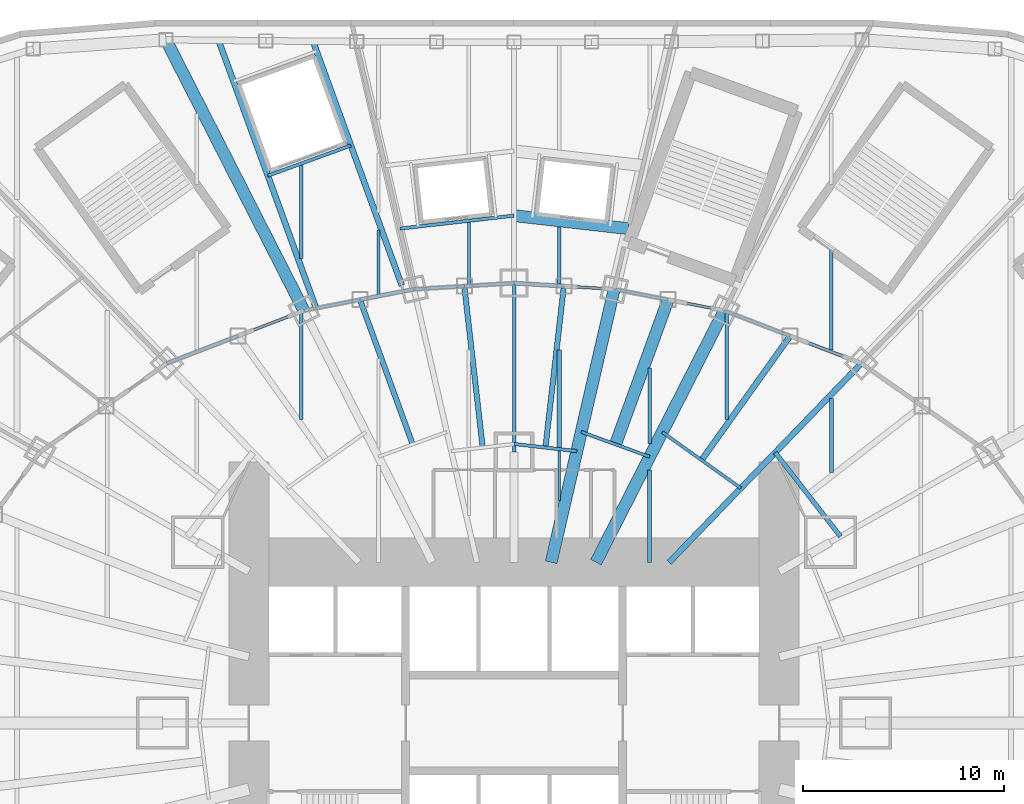
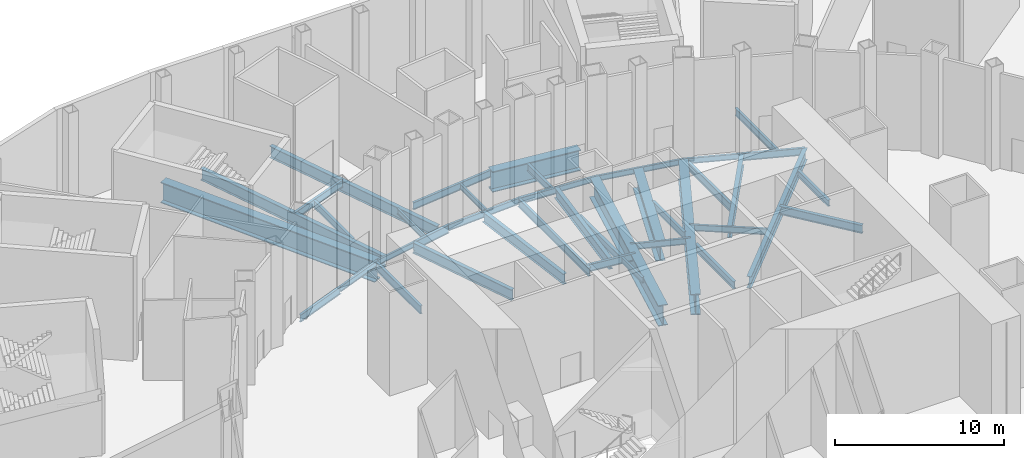
# One storey, part 7 of 73: 43 beams.
"""IFC4 building model written with IfcOpenShell, lengths in metres."""

from ifc_helpers import new_model, si_unit, direction, frame, origin, origin_2d, place, context, subcontext, project, spatial, i_section, extrude, material, material_profile, profile_set, type_object, element, save


model = new_model("IFC4")

# Units and contexts
model_context = context("Model", 3, precision=1e-05, world=origin(), true_north=direction((0.0, 1.0)))
body_context = subcontext(model_context, "Body", "Model", "MODEL_VIEW")
ifc_project = project(units=[si_unit("LENGTHUNIT", "METRE"), si_unit("AREAUNIT", "SQUARE_METRE"), si_unit("VOLUMEUNIT", "CUBIC_METRE"), si_unit("PLANEANGLEUNIT", "RADIAN"), si_unit("MASSUNIT", "GRAM", prefix="KILO")], contexts=[model_context])

# Site, building, storey
site_placement = place(None, origin())
site = spatial("IfcSite", under=ifc_project, at=site_placement, CompositionType="ELEMENT")
building_placement = place(site_placement, origin())
building = spatial("IfcBuilding", under=site, at=building_placement, Name="Lantaw Convention Tower", CompositionType="ELEMENT")
storey_placement = place(building_placement, frame((0.0, 0.0, 14.5)))
storey = spatial("IfcBuildingStorey", under=building, at=storey_placement, Name="L02", CompositionType="ELEMENT", Elevation=14.5)

# Beams
ifc_material_1 = material(Name="Steel ASTM A992", Category="steel")
ifc_material_profile_1 = material_profile(ifc_material_1, i_section(OverallWidth=0.140380859375, OverallDepth=0.40380859375, WebThickness=0.007080078125, FlangeThickness=0.01123046875, FilletRadius=0.01025390625, at=origin_2d()), Name="W16X31")
ifc_profile_set_1 = profile_set([ifc_material_profile_1], Name="Steel ASTM A992")
beam_type_1 = type_object("IfcBeamType", Name="Beam E W16X31", PredefinedType="SPANDREL", material=ifc_profile_set_1)
beam_1_placement = place(storey_placement, frame((13.745361328125, 19.270263671875, -0.40185546875), z_axis=(-0.933241815012, 0.359248820058, 0.0), x_axis=(-0.359248820058, -0.933241815012, 0.0)))
element("IfcBeam", 1, at=beam_1_placement, inside=storey, type_object=beam_type_1, Name="Edge beam 4", PredefinedType="SPANDREL", context=body_context, shape_type="SweptSolid", body=[
    extrude(i_section(OverallWidth=0.140380859375, OverallDepth=0.40380859375, WebThickness=0.007080078125, FlangeThickness=0.01123046875, FilletRadius=0.01025390625, at=origin_2d()), origin(), (0.0, 0.0, 1.0), 3.517578125),
])
beam_2_placement = place(storey_placement, frame((10.462646484375, 20.533935546875, -0.40185546875), z_axis=(-0.98163593748, 0.190763954266, 0.0), x_axis=(-0.190763954266, -0.98163593748, 0.0)))
element("IfcBeam", 2, at=beam_2_placement, inside=storey, type_object=beam_type_1, Name="Edge beam 5", PredefinedType="SPANDREL", context=body_context, shape_type="SweptSolid", body=[
    extrude(i_section(OverallWidth=0.140380859375, OverallDepth=0.40380859375, WebThickness=0.007080078125, FlangeThickness=0.01123046875, FilletRadius=0.01025390625, at=origin_2d()), origin(), (0.0, 0.0, 1.0), 2.84375),
])
beam_3_placement = place(storey_placement, frame((7.671142578125, 21.076416015625, -0.40185546875), z_axis=(-0.981637218105, 0.190757364289, 0.0), x_axis=(-0.190757364289, -0.981637218105, 0.0)))
element("IfcBeam", 3, at=beam_3_placement, inside=storey, type_object=beam_type_1, Name="Edge beam 5", PredefinedType="SPANDREL", context=body_context, shape_type="SweptSolid", body=[
    extrude(i_section(OverallWidth=0.140380859375, OverallDepth=0.40380859375, WebThickness=0.007080078125, FlangeThickness=0.01123046875, FilletRadius=0.01025390625, at=origin_2d()), origin(), (0.0, 0.0, 1.0), 2.735107421875),
])
beam_4_placement = place(storey_placement, frame((4.986328125, 21.59814453125, -0.40185546875), z_axis=(-0.998172405641, 0.060430527186, 0.0), x_axis=(-0.060430527186, -0.998172405641, 0.0)))
element("IfcBeam", 4, at=beam_4_placement, inside=storey, type_object=beam_type_1, Name="Edge beam 6", PredefinedType="SPANDREL", context=body_context, shape_type="SweptSolid", body=[
    extrude(i_section(OverallWidth=0.140380859375, OverallDepth=0.40380859375, WebThickness=0.007080078125, FlangeThickness=0.01123046875, FilletRadius=0.01025390625, at=origin_2d()), origin(), (0.0, 0.0, 1.0), 2.512939453125),
])
beam_5_placement = place(storey_placement, frame((-7.671142578125, 21.076416015625, -0.40185546875), z_axis=(-0.98163593748, -0.190763954266, 0.0), x_axis=(0.190763954266, -0.98163593748, 0.0)))
element("IfcBeam", 5, at=beam_5_placement, inside=storey, type_object=beam_type_1, Name="Edge beam 8", PredefinedType="SPANDREL", context=body_context, shape_type="SweptSolid", body=[
    extrude(i_section(OverallWidth=0.140380859375, OverallDepth=0.40380859375, WebThickness=0.007080078125, FlangeThickness=0.01123046875, FilletRadius=0.01025390625, at=origin_2d()), origin(), (0.0, 0.0, 1.0), 2.84375),
])
beam_6_placement = place(storey_placement, frame((-10.462646484375, 20.533935546875, -0.40185546875), z_axis=(-0.933241815012, -0.359248820058, 0.0), x_axis=(0.359248820058, -0.933241815012, 0.0)))
element("IfcBeam", 6, at=beam_6_placement, inside=storey, type_object=beam_type_1, Name="Edge beam 9", PredefinedType="SPANDREL", context=body_context, shape_type="SweptSolid", body=[
    extrude(i_section(OverallWidth=0.140380859375, OverallDepth=0.40380859375, WebThickness=0.007080078125, FlangeThickness=0.01123046875, FilletRadius=0.01025390625, at=origin_2d()), origin(), (0.0, 0.0, 1.0), 3.517578125),
])
ifc_material_profile_2 = material_profile(ifc_material_1, i_section(OverallWidth=0.15234375, OverallDepth=0.449462890625, WebThickness=0.007568359375, FlangeThickness=0.0107421875, FilletRadius=0.01025390625, at=origin_2d()), Name="W18X35")
ifc_profile_set_2 = profile_set([ifc_material_profile_2], Name="Steel ASTM A992")
beam_type_2 = type_object("IfcBeamType", Name="Beam E W18X35", PredefinedType="SPANDREL", material=ifc_profile_set_2)
beam_7_placement = place(storey_placement, frame((0.0, 21.89990234375, -0.4248046875), z_axis=(-0.998175328335, -0.060382231685, 0.0), x_axis=(0.060382231685, -0.998175328335, 0.0)))
element("IfcBeam", 7, at=beam_7_placement, inside=storey, type_object=beam_type_2, Name="Edge beam 7", PredefinedType="SPANDREL", context=body_context, shape_type="SweptSolid", body=[
    extrude(i_section(OverallWidth=0.15234375, OverallDepth=0.449462890625, WebThickness=0.007568359375, FlangeThickness=0.0107421875, FilletRadius=0.01025390625, at=origin_2d()), origin(), (0.0, 0.0, 1.0), 2.482666015625),
])
beam_8_placement = place(storey_placement, frame((-2.47802734375, 21.75, -0.4248046875), z_axis=(-0.998172405641, -0.060430527186, 0.0), x_axis=(0.060430527186, -0.998172405641, 0.0)))
element("IfcBeam", 8, at=beam_8_placement, inside=storey, type_object=beam_type_2, Name="Edge beam 7", PredefinedType="SPANDREL", context=body_context, shape_type="SweptSolid", body=[
    extrude(i_section(OverallWidth=0.15234375, OverallDepth=0.449462890625, WebThickness=0.007568359375, FlangeThickness=0.0107421875, FilletRadius=0.01025390625, at=origin_2d()), origin(), (0.0, 0.0, 1.0), 2.512939453125),
])
ifc_material_profile_3 = material_profile(ifc_material_1, i_section(OverallWidth=0.1904296875, OverallDepth=0.457275390625, WebThickness=0.009033203125, FlangeThickness=0.014404296875, FilletRadius=0.01025390625, at=origin_2d()), Name="W18X50")
ifc_profile_set_3 = profile_set([ifc_material_profile_3], Name="Steel ASTM A992")
beam_type_3 = type_object("IfcBeamType", Name="Beam E W18X50", PredefinedType="SPANDREL", material=ifc_profile_set_3)
beam_9_placement = place(storey_placement, frame((2.47802734375, 21.75, -0.4287109375), z_axis=(-0.998175328335, 0.060382231685, 0.0), x_axis=(-0.060382231685, -0.998175328335, 0.0)))
element("IfcBeam", 9, at=beam_9_placement, inside=storey, type_object=beam_type_3, Name="Edge beam 6", PredefinedType="SPANDREL", context=body_context, shape_type="SweptSolid", body=[
    extrude(i_section(OverallWidth=0.1904296875, OverallDepth=0.457275390625, WebThickness=0.009033203125, FlangeThickness=0.014404296875, FilletRadius=0.01025390625, at=origin_2d()), origin(), (0.0, 0.0, 1.0), 2.482666015625),
])
ifc_material_profile_4 = material_profile(ifc_material_1, i_section(OverallWidth=0.1650390625, OverallDepth=0.52587890625, WebThickness=0.0087890625, FlangeThickness=0.011474609375, FilletRadius=0.0126953125, at=origin_2d()), Name="W21X44")
ifc_profile_set_4 = profile_set([ifc_material_profile_4], Name="Steel ASTM A992")
beam_type_4 = type_object("IfcBeamType", Name="Beam E W21X44", PredefinedType="SPANDREL", material=ifc_profile_set_4)
for number, where, z_axis, x_axis, name in (
    (10, (17.290771484375, 17.9052734375, -0.462890625), (-0.933224646415, 0.359293416754, 0.0), (-0.359293416754, -0.933224646415, 0.0), "Edge beam 4"),
    (11, (-13.745361328125, 19.270263671875, -0.462890625), (-0.933224646415, -0.359293416754, 0.0), (0.359293416754, -0.933224646415, 0.0), "Edge beam 9"),
):
    element("IfcBeam", number, at=place(storey_placement, frame(where, z_axis=z_axis, x_axis=x_axis)), inside=storey, type_object=beam_type_4, Name=name, PredefinedType="SPANDREL", context=body_context, shape_type="SweptSolid", body=[
        extrude(i_section(OverallWidth=0.1650390625, OverallDepth=0.52587890625, WebThickness=0.0087890625, FlangeThickness=0.011474609375, FilletRadius=0.0126953125, at=origin_2d()), origin(), (0.0, 0.0, 1.0), 3.799072265625),
    ])
ifc_material_profile_5 = material_profile(ifc_material_1, i_section(OverallWidth=0.177978515625, OverallDepth=0.599365234375, WebThickness=0.010009765625, FlangeThickness=0.012939453125, FilletRadius=0.012939453125, at=origin_2d()), Name="W24X55")
ifc_profile_set_5 = profile_set([ifc_material_profile_5], Name="Steel ASTM A992")
beam_type_5 = type_object("IfcBeamType", Name="Beam E W24X55", PredefinedType="SPANDREL", material=ifc_profile_set_5)
beam_10_placement = place(storey_placement, frame((-4.986328125, 21.59814453125, -0.499755859375), z_axis=(-0.981637218105, -0.190757364289, 0.0), x_axis=(0.190757364289, -0.981637218105, 0.0)))
element("IfcBeam", 12, at=beam_10_placement, inside=storey, type_object=beam_type_5, Name="Edge beam 8", PredefinedType="SPANDREL", context=body_context, shape_type="SweptSolid", body=[
    extrude(i_section(OverallWidth=0.177978515625, OverallDepth=0.599365234375, WebThickness=0.010009765625, FlangeThickness=0.012939453125, FilletRadius=0.012939453125, at=origin_2d()), origin(), (0.0, 0.0, 1.0), 2.735107421875),
])
ifc_material_2 = material(Name="Steel ASTM A572 Grade 50", Category="steel")
ifc_material_profile_6 = material_profile(ifc_material_2, i_section(OverallWidth=0.60009765625, OverallDepth=1.5, WebThickness=0.02490234375, FlangeThickness=0.06005859375, at=origin_2d()), Name="PG1500X600X25X60")
ifc_profile_set_6 = profile_set([ifc_material_profile_6], Name="Steel ASTM A572 Grade 50")
beam_type_6 = type_object("IfcBeamType", Name="Beam G PG1500X600X25X60", PredefinedType="BEAM", material=ifc_profile_set_6)
beam_11_placement = place(storey_placement, frame((4.076171875, 8.0, -0.949951171875), z_axis=(0.453997016122, 0.891003203896, 0.0), x_axis=(-0.891003203896, 0.453997016122, 0.0)))
element("IfcBeam", 13, at=beam_11_placement, inside=storey, type_object=beam_type_6, Name="Floor girder on ray 5", PredefinedType="BEAM", context=body_context, shape_type="SweptSolid", body=[
    extrude(i_section(OverallWidth=0.60009765625, OverallDepth=1.5, WebThickness=0.02490234375, FlangeThickness=0.06005859375, at=origin_2d()), origin(), (0.0, 0.0, 1.0), 14.067138671875),
])
beam_12_placement = place(storey_placement, frame((5.04931640625, 13.873046875, -0.949951171875), z_axis=(0.342021781151, 0.939692024664, 0.0), x_axis=(-0.939692024664, 0.342021781151, 0.0)))
element("IfcBeam", 14, at=beam_12_placement, inside=storey, type_object=beam_type_6, Name="Floor girder on bisector 5", PredefinedType="BEAM", context=body_context, shape_type="SweptSolid", body=[
    extrude(i_section(OverallWidth=0.60009765625, OverallDepth=1.5, WebThickness=0.02490234375, FlangeThickness=0.06005859375, at=origin_2d()), origin(), (0.0, 0.0, 1.0), 7.665771484375),
])
beam_13_placement = place(storey_placement, frame((1.846923828125, 8.0, -0.949951171875), z_axis=(0.224952773175, 0.97436966796, 0.0), x_axis=(-0.97436966796, 0.224952773175, 0.0)))
element("IfcBeam", 15, at=beam_13_placement, inside=storey, type_object=beam_type_6, Name="Floor girder on ray 6", PredefinedType="BEAM", context=body_context, shape_type="SweptSolid", body=[
    extrude(i_section(OverallWidth=0.60009765625, OverallDepth=1.5, WebThickness=0.02490234375, FlangeThickness=0.06005859375, at=origin_2d()), origin(), (0.0, 0.0, 1.0), 13.955810546875),
])
ifc_material_profile_7 = material_profile(ifc_material_1, i_section(OverallWidth=0.177978515625, OverallDepth=0.599365234375, WebThickness=0.010009765625, FlangeThickness=0.012939453125, FilletRadius=0.012939453125, at=origin_2d()), Name="W24X55")
ifc_profile_set_7 = profile_set([ifc_material_profile_7], Name="Steel ASTM A992")
beam_type_7 = type_object("IfcBeamType", Name="Beam G W24X55", PredefinedType="BEAM", material=ifc_profile_set_7)
beam_14_placement = place(storey_placement, frame((0.0, 13.5, -0.499755859375), z_axis=(0.0, 1.0, 0.0), x_axis=(-1.0, 0.0, 0.0)))
element("IfcBeam", 16, at=beam_14_placement, inside=storey, type_object=beam_type_7, Name="Floor girder on ray 7", PredefinedType="BEAM", context=body_context, shape_type="SweptSolid", body=[
    extrude(i_section(OverallWidth=0.177978515625, OverallDepth=0.599365234375, WebThickness=0.010009765625, FlangeThickness=0.012939453125, FilletRadius=0.012939453125, at=origin_2d()), origin(), (0.0, 0.0, 1.0), 8.39990234375),
])
ifc_material_profile_8 = material_profile(ifc_material_1, i_section(OverallWidth=0.2666015625, OverallDepth=0.7568359375, WebThickness=0.013916015625, FlangeThickness=0.019287109375, FilletRadius=0.0126953125, at=origin_2d()), Name="W30X108")
ifc_profile_set_8 = profile_set([ifc_material_profile_8], Name="Steel ASTM A992")
beam_type_8 = type_object("IfcBeamType", Name="Beam G W30X108", PredefinedType="BEAM", material=ifc_profile_set_8)
beam_15_placement = place(storey_placement, frame((-1.5625, 13.713134765625, -0.578369140625), z_axis=(-0.113183957156, 0.993574049501, 0.0), x_axis=(-0.993574049501, -0.113183957156, 0.0)))
element("IfcBeam", 17, at=beam_15_placement, inside=storey, type_object=beam_type_8, Name="Floor girder on bisector 7", PredefinedType="BEAM", context=body_context, shape_type="SweptSolid", body=[
    extrude(i_section(OverallWidth=0.2666015625, OverallDepth=0.7568359375, WebThickness=0.013916015625, FlangeThickness=0.019287109375, FilletRadius=0.0126953125, at=origin_2d()), origin(), (0.0, 0.0, 1.0), 8.0888671875),
])
ifc_material_profile_9 = material_profile(ifc_material_1, i_section(OverallWidth=0.2666015625, OverallDepth=0.76953125, WebThickness=0.015625, FlangeThickness=0.025390625, FilletRadius=0.0126953125, at=origin_2d()), Name="W30X132")
ifc_profile_set_9 = profile_set([ifc_material_profile_9], Name="Steel ASTM A992")
beam_type_9 = type_object("IfcBeamType", Name="Beam G W30X132", PredefinedType="BEAM", material=ifc_profile_set_9)
beam_16_placement = place(storey_placement, frame((1.5625, 13.713134765625, -0.584716796875), z_axis=(0.113183957156, 0.993574049501, 0.0), x_axis=(-0.993574049501, 0.113183957156, 0.0)))
element("IfcBeam", 18, at=beam_16_placement, inside=storey, type_object=beam_type_9, Name="Floor girder on bisector 6", PredefinedType="BEAM", context=body_context, shape_type="SweptSolid", body=[
    extrude(i_section(OverallWidth=0.2666015625, OverallDepth=0.76953125, WebThickness=0.015625, FlangeThickness=0.025390625, FilletRadius=0.0126953125, at=origin_2d()), origin(), (0.0, 0.0, 1.0), 8.0888671875),
])
beam_17_placement = place(storey_placement, frame((-5.04931640625, 13.873046875, -0.584716796875), z_axis=(-0.342021781151, 0.939692024664, 0.0), x_axis=(-0.939692024664, -0.342021781151, 0.0)))
element("IfcBeam", 19, at=beam_17_placement, inside=storey, type_object=beam_type_9, Name="Floor girder on bisector 8", PredefinedType="BEAM", context=body_context, shape_type="SweptSolid", body=[
    extrude(i_section(OverallWidth=0.2666015625, OverallDepth=0.76953125, WebThickness=0.015625, FlangeThickness=0.025390625, FilletRadius=0.0126953125, at=origin_2d()), origin(), (0.0, 0.0, 1.0), 7.665771484375),
])
ifc_material_profile_10 = material_profile(ifc_material_1, i_section(OverallWidth=0.2919921875, OverallDepth=0.845703125, WebThickness=0.015380859375, FlangeThickness=0.0244140625, FilletRadius=0.01513671875, at=origin_2d()), Name="W33X141")
ifc_profile_set_10 = profile_set([ifc_material_profile_10], Name="Steel ASTM A992")
beam_type_10 = type_object("IfcBeamType", Name="Beam G W33X141", PredefinedType="BEAM", material=ifc_profile_set_10)
beam_18_placement = place(storey_placement, frame((7.7255859375, 8.0, -0.622802734375), z_axis=(0.694649884291, 0.719347995239, 0.0), x_axis=(-0.719347995239, 0.694649884291, 0.0)))
element("IfcBeam", 20, at=beam_18_placement, inside=storey, type_object=beam_type_10, Name="Floor girder on ray 4", PredefinedType="BEAM", context=body_context, shape_type="SweptSolid", body=[
    extrude(i_section(OverallWidth=0.2919921875, OverallDepth=0.845703125, WebThickness=0.015380859375, FlangeThickness=0.0244140625, FilletRadius=0.01513671875, at=origin_2d()), origin(), (0.0, 0.0, 1.0), 13.769775390625),
])
beam_19_placement = place(storey_placement, frame((9.335693359375, 13.088134765625, -0.622802734375), z_axis=(0.580702805158, 0.814115625745, 0.0), x_axis=(-0.814115625745, 0.580702805158, 0.0)))
element("IfcBeam", 21, at=beam_19_placement, inside=storey, type_object=beam_type_10, Name="Floor girder on bisector 4", PredefinedType="BEAM", context=body_context, shape_type="SweptSolid", body=[
    extrude(i_section(OverallWidth=0.2919921875, OverallDepth=0.845703125, WebThickness=0.015380859375, FlangeThickness=0.0244140625, FilletRadius=0.01513671875, at=origin_2d()), origin(), (0.0, 0.0, 1.0), 7.59375),
])
ifc_material_profile_11 = material_profile(ifc_material_1, i_section(OverallWidth=0.15234375, OverallDepth=0.449462890625, WebThickness=0.007568359375, FlangeThickness=0.0107421875, FilletRadius=0.01025390625, at=origin_2d()), Name="W18X35")
ifc_profile_set_11 = profile_set([ifc_material_profile_11], Name="Steel ASTM A992")
beam_type_11 = type_object("IfcBeamType", Name="Beam HC W18X35", PredefinedType="BEAM", material=ifc_profile_set_11)
beam_20_placement = place(storey_placement, frame((11.291748046875, 11.69287109375, -0.4248046875), z_axis=(-0.814110909588, 0.580709416912, 0.0), x_axis=(-0.580709416912, -0.814110909588, 0.0)))
element("IfcBeam", 22, at=beam_20_placement, inside=storey, type_object=beam_type_11, Name="Collar beam on bisector 4", PredefinedType="BEAM", context=body_context, shape_type="SweptSolid", body=[
    extrude(i_section(OverallWidth=0.15234375, OverallDepth=0.449462890625, WebThickness=0.007568359375, FlangeThickness=0.0107421875, FilletRadius=0.01025390625, at=origin_2d()), origin(), (0.0, 0.0, 1.0), 4.805419921875),
])
beam_21_placement = place(storey_placement, frame((6.752685546875, 13.253173828125, -0.4248046875), z_axis=(-0.939689171859, 0.342029619025, 0.0), x_axis=(-0.342029619025, -0.939689171859, 0.0)))
element("IfcBeam", 23, at=beam_21_placement, inside=storey, type_object=beam_type_11, Name="Collar beam on bisector 5", PredefinedType="BEAM", context=body_context, shape_type="SweptSolid", body=[
    extrude(i_section(OverallWidth=0.15234375, OverallDepth=0.449462890625, WebThickness=0.007568359375, FlangeThickness=0.0107421875, FilletRadius=0.01025390625, at=origin_2d()), origin(), (0.0, 0.0, 1.0), 3.62548828125),
])
ifc_material_profile_12 = material_profile(ifc_material_1, i_section(OverallWidth=0.165771484375, OverallDepth=0.5283203125, WebThickness=0.009765625, FlangeThickness=0.013671875, FilletRadius=0.012939453125, at=origin_2d()), Name="W21X50")
ifc_profile_set_12 = profile_set([ifc_material_profile_12], Name="Steel ASTM A992")
beam_type_12 = type_object("IfcBeamType", Name="Beam HC W21X50", PredefinedType="BEAM", material=ifc_profile_set_12)
beam_22_placement = place(storey_placement, frame((3.124755859375, 13.534912109375, -0.464111328125), z_axis=(-0.99356540907, 0.113259780595, 0.0), x_axis=(-0.113259780595, -0.99356540907, 0.0)))
element("IfcBeam", 24, at=beam_22_placement, inside=storey, type_object=beam_type_12, Name="Collar beam on bisector 6", PredefinedType="BEAM", context=body_context, shape_type="SweptSolid", body=[
    extrude(i_section(OverallWidth=0.165771484375, OverallDepth=0.5283203125, WebThickness=0.009765625, FlangeThickness=0.013671875, FilletRadius=0.012939453125, at=origin_2d()), origin(), (0.0, 0.0, 1.0), 3.14501953125),
])
ifc_material_profile_13 = material_profile(ifc_material_1, i_section(OverallWidth=0.227783203125, OverallDepth=0.60205078125, WebThickness=0.010498046875, FlangeThickness=0.014892578125, FilletRadius=0.012939453125, at=origin_2d()), Name="W24X68")
ifc_profile_set_13 = profile_set([ifc_material_profile_13], Name="Steel ASTM A992")
beam_type_13 = type_object("IfcBeamType", Name="Beam HC W24X68", PredefinedType="BEAM", material=ifc_profile_set_13)
beam_23_placement = place(storey_placement, frame((16.2529296875, 9.287353515625, -0.5009765625), z_axis=(-0.613915067401, 0.789372085913, 0.0), x_axis=(-0.789372085913, -0.613915067401, 0.0)))
element("IfcBeam", 25, at=beam_23_placement, inside=storey, type_object=beam_type_13, Name="Collar beam on bisector 3", PredefinedType="BEAM", context=body_context, shape_type="SweptSolid", body=[
    extrude(i_section(OverallWidth=0.227783203125, OverallDepth=0.60205078125, WebThickness=0.010498046875, FlangeThickness=0.014892578125, FilletRadius=0.012939453125, at=origin_2d()), origin(), (0.0, 0.0, 1.0), 5.293212890625),
])
ifc_material_profile_14 = material_profile(ifc_material_1, i_section(OverallWidth=0.140380859375, OverallDepth=0.40380859375, WebThickness=0.007080078125, FlangeThickness=0.01123046875, FilletRadius=0.01025390625, at=origin_2d()), Name="W16X31")
ifc_profile_set_14 = profile_set([ifc_material_profile_14], Name="Steel ASTM A992")
beam_type_14 = type_object("IfcBeamType", Name="Beam J W16X31", PredefinedType="JOIST", material=ifc_profile_set_14)
beam_24_placement = place(storey_placement, frame((-6.75, 21.345947265625, -0.40185546875), z_axis=(0.0, 1.0, 0.0), x_axis=(-1.0, 0.0, 0.0)))
element("IfcBeam", 26, at=beam_24_placement, inside=storey, type_object=beam_type_14, Name="Floor joist", PredefinedType="JOIST", context=body_context, shape_type="SweptSolid", body=[
    extrude(i_section(OverallWidth=0.140380859375, OverallDepth=0.40380859375, WebThickness=0.007080078125, FlangeThickness=0.01123046875, FilletRadius=0.01025390625, at=origin_2d()), origin(), (0.0, 0.0, 1.0), 3.204833984375),
])
beam_25_placement = place(storey_placement, frame((-2.25, 21.840087890625, -0.40185546875), z_axis=(0.0, 1.0, 0.0), x_axis=(-1.0, 0.0, 0.0)))
element("IfcBeam", 27, at=beam_25_placement, inside=storey, type_object=beam_type_14, Name="Floor joist", PredefinedType="JOIST", context=body_context, shape_type="SweptSolid", body=[
    extrude(i_section(OverallWidth=0.140380859375, OverallDepth=0.40380859375, WebThickness=0.007080078125, FlangeThickness=0.01123046875, FilletRadius=0.01025390625, at=origin_2d()), origin(), (0.0, 0.0, 1.0), 3.082763671875),
])
beam_26_placement = place(storey_placement, frame((2.25, 11.079345703125, -0.40185546875), z_axis=(0.0, 1.0, 0.0), x_axis=(-1.0, 0.0, 0.0)))
element("IfcBeam", 28, at=beam_26_placement, inside=storey, type_object=beam_type_14, Name="Floor joist", PredefinedType="JOIST", context=body_context, shape_type="SweptSolid", body=[
    extrude(i_section(OverallWidth=0.140380859375, OverallDepth=0.40380859375, WebThickness=0.007080078125, FlangeThickness=0.01123046875, FilletRadius=0.01025390625, at=origin_2d()), origin(), (0.0, 0.0, 1.0), 2.471923828125),
])
ifc_material_profile_15 = material_profile(ifc_material_1, i_section(OverallWidth=0.1904296875, OverallDepth=0.457275390625, WebThickness=0.009033203125, FlangeThickness=0.014404296875, FilletRadius=0.01025390625, at=origin_2d()), Name="W18X50")
ifc_profile_set_15 = profile_set([ifc_material_profile_15], Name="Steel ASTM A992")
beam_type_15 = type_object("IfcBeamType", Name="Beam J W18X50", PredefinedType="JOIST", material=ifc_profile_set_15)
beam_27_placement = place(storey_placement, frame((15.800048828125, 12.472900390625, -0.4287109375), z_axis=(0.0, 1.0, 0.0), x_axis=(-1.0, 0.0, 0.0)))
element("IfcBeam", 29, at=beam_27_placement, inside=storey, type_object=beam_type_15, Name="Floor joist", PredefinedType="JOIST", context=body_context, shape_type="SweptSolid", body=[
    extrude(i_section(OverallWidth=0.1904296875, OverallDepth=0.457275390625, WebThickness=0.009033203125, FlangeThickness=0.014404296875, FilletRadius=0.01025390625, at=origin_2d()), origin(), (0.0, 0.0, 1.0), 3.67822265625),
])
ifc_material_profile_16 = material_profile(ifc_material_1, i_section(OverallWidth=0.1650390625, OverallDepth=0.52587890625, WebThickness=0.0087890625, FlangeThickness=0.011474609375, FilletRadius=0.0126953125, at=origin_2d()), Name="W21X44")
ifc_profile_set_16 = profile_set([ifc_material_profile_16], Name="Steel ASTM A992")
beam_type_16 = type_object("IfcBeamType", Name="Beam J W21X44", PredefinedType="JOIST", material=ifc_profile_set_16)
beam_28_placement = place(storey_placement, frame((2.25, 21.859130859375, -0.462890625), z_axis=(0.0, 1.0, 0.0), x_axis=(-1.0, 0.0, 0.0)))
element("IfcBeam", 30, at=beam_28_placement, inside=storey, type_object=beam_type_16, Name="Floor joist", PredefinedType="JOIST", context=body_context, shape_type="SweptSolid", body=[
    extrude(i_section(OverallWidth=0.1650390625, OverallDepth=0.52587890625, WebThickness=0.0087890625, FlangeThickness=0.011474609375, FilletRadius=0.0126953125, at=origin_2d()), origin(), (0.0, 0.0, 1.0), 2.844970703125),
])
beam_29_placement = place(storey_placement, frame((6.75, 13.914794921875, -0.462890625), z_axis=(0.0, 1.0, 0.0), x_axis=(-1.0, 0.0, 0.0)))
element("IfcBeam", 31, at=beam_29_placement, inside=storey, type_object=beam_type_16, Name="Floor joist", PredefinedType="JOIST", context=body_context, shape_type="SweptSolid", body=[
    extrude(i_section(OverallWidth=0.1650390625, OverallDepth=0.52587890625, WebThickness=0.0087890625, FlangeThickness=0.011474609375, FilletRadius=0.0126953125, at=origin_2d()), origin(), (0.0, 0.0, 1.0), 3.75341796875),
])
ifc_material_profile_17 = material_profile(ifc_material_1, i_section(OverallWidth=0.165771484375, OverallDepth=0.5283203125, WebThickness=0.009765625, FlangeThickness=0.013671875, FilletRadius=0.012939453125, at=origin_2d()), Name="W21X50")
ifc_profile_set_17 = profile_set([ifc_material_profile_17], Name="Steel ASTM A992")
beam_type_17 = type_object("IfcBeamType", Name="Beam J W21X50", PredefinedType="JOIST", material=ifc_profile_set_17)
beam_30_placement = place(storey_placement, frame((-10.60009765625, 23.117919921875, -0.464111328125), z_axis=(0.0, 1.0, 0.0), x_axis=(-1.0, 0.0, 0.0)))
element("IfcBeam", 32, at=beam_30_placement, inside=storey, type_object=beam_type_17, Name="Floor joist", PredefinedType="JOIST", context=body_context, shape_type="SweptSolid", body=[
    extrude(i_section(OverallWidth=0.165771484375, OverallDepth=0.5283203125, WebThickness=0.009765625, FlangeThickness=0.013671875, FilletRadius=0.012939453125, at=origin_2d()), origin(), (0.0, 0.0, 1.0), 4.648681640625),
])
beam_31_placement = place(storey_placement, frame((15.800048828125, 18.567626953125, -0.464111328125), z_axis=(0.0, 1.0, 0.0), x_axis=(-1.0, 0.0, 0.0)))
element("IfcBeam", 33, at=beam_31_placement, inside=storey, type_object=beam_type_17, Name="Floor joist", PredefinedType="JOIST", context=body_context, shape_type="SweptSolid", body=[
    extrude(i_section(OverallWidth=0.165771484375, OverallDepth=0.5283203125, WebThickness=0.009765625, FlangeThickness=0.013671875, FilletRadius=0.012939453125, at=origin_2d()), origin(), (0.0, 0.0, 1.0), 4.9560546875),
])
ifc_material_profile_18 = material_profile(ifc_material_1, i_section(OverallWidth=0.2099609375, OverallDepth=0.535888671875, WebThickness=0.010986328125, FlangeThickness=0.017333984375, FilletRadius=0.012939453125, at=origin_2d()), Name="W21X68")
ifc_profile_set_18 = profile_set([ifc_material_profile_18], Name="Steel ASTM A992")
beam_type_18 = type_object("IfcBeamType", Name="Beam J W21X68", PredefinedType="JOIST", material=ifc_profile_set_18)
beam_32_placement = place(storey_placement, frame((2.25, 13.71826171875, -0.468017578125), z_axis=(0.0, 1.0, 0.0), x_axis=(-1.0, 0.0, 0.0)))
element("IfcBeam", 34, at=beam_32_placement, inside=storey, type_object=beam_type_18, Name="Floor joist", PredefinedType="JOIST", context=body_context, shape_type="SweptSolid", body=[
    extrude(i_section(OverallWidth=0.2099609375, OverallDepth=0.535888671875, WebThickness=0.010986328125, FlangeThickness=0.017333984375, FilletRadius=0.012939453125, at=origin_2d()), origin(), (0.0, 0.0, 1.0), 4.851806640625),
])
beam_33_placement = place(storey_placement, frame((6.75, 8.0, -0.468017578125), z_axis=(0.0, 1.0, 0.0), x_axis=(-1.0, 0.0, 0.0)))
element("IfcBeam", 35, at=beam_33_placement, inside=storey, type_object=beam_type_18, Name="Floor joist", PredefinedType="JOIST", context=body_context, shape_type="SweptSolid", body=[
    extrude(i_section(OverallWidth=0.2099609375, OverallDepth=0.535888671875, WebThickness=0.010986328125, FlangeThickness=0.017333984375, FilletRadius=0.012939453125, at=origin_2d()), origin(), (0.0, 0.0, 1.0), 4.5869140625),
])
ifc_material_profile_19 = material_profile(ifc_material_1, i_section(OverallWidth=0.177978515625, OverallDepth=0.599365234375, WebThickness=0.010009765625, FlangeThickness=0.012939453125, FilletRadius=0.012939453125, at=origin_2d()), Name="W24X55")
ifc_profile_set_19 = profile_set([ifc_material_profile_19], Name="Steel ASTM A992")
beam_type_19 = type_object("IfcBeamType", Name="Beam J W24X55", PredefinedType="JOIST", material=ifc_profile_set_19)
for number, where, z_axis, x_axis, name in (
    (36, (-10.60009765625, 15.112060546875, -0.499755859375), (0.0, 1.0, 0.0), (-1.0, 0.0, 0.0), "Floor joist"),
    (37, (10.60009765625, 15.112060546875, -0.499755859375), (0.0, 1.0, 0.0), (-1.0, 0.0, 0.0), "Floor joist"),
):
    element("IfcBeam", number, at=place(storey_placement, frame(where, z_axis=z_axis, x_axis=x_axis)), inside=storey, type_object=beam_type_19, Name=name, PredefinedType="JOIST", context=body_context, shape_type="SweptSolid", body=[
        extrude(i_section(OverallWidth=0.177978515625, OverallDepth=0.599365234375, WebThickness=0.010009765625, FlangeThickness=0.012939453125, FilletRadius=0.012939453125, at=origin_2d()), origin(), (0.0, 0.0, 1.0), 5.293701171875),
    ])
ifc_material_profile_20 = material_profile(ifc_material_2, i_section(OverallWidth=0.60009765625, OverallDepth=1.5, WebThickness=0.02490234375, FlangeThickness=0.06005859375, at=origin_2d()), Name="PG1500X600X25X60")
ifc_profile_set_20 = profile_set([ifc_material_profile_20], Name="Steel ASTM A572 Grade 50")
beam_type_20 = type_object("IfcBeamType", Name="Beam PG PG1500X600X25X60", PredefinedType="BEAM", material=ifc_profile_set_20)
beam_34_placement = place(storey_placement, frame((-10.462646484375, 20.533935546875, -0.949951171875), z_axis=(-0.453988364005, 0.891007612396, 0.0), x_axis=(-0.891007612396, -0.453988364005, 0.0)))
element("IfcBeam", 38, at=beam_34_placement, inside=storey, type_object=beam_type_20, Name="Podium girder PR09", PredefinedType="BEAM", context=body_context, shape_type="SweptSolid", body=[
    extrude(i_section(OverallWidth=0.60009765625, OverallDepth=1.5, WebThickness=0.02490234375, FlangeThickness=0.06005859375, at=origin_2d()), origin(), (0.0, 0.0, 1.0), 15.135498046875),
])
ifc_material_profile_21 = material_profile(ifc_material_2, i_section(OverallWidth=0.60009765625, OverallDepth=1.5, WebThickness=0.02490234375, FlangeThickness=0.06005859375, at=origin_2d()), Name="PG1500X600X25X60")
ifc_profile_set_21 = profile_set([ifc_material_profile_21], Name="Steel ASTM A572 Grade 50")
beam_type_21 = type_object("IfcBeamType", Name="Beam TR PG1500X600X25X60", PredefinedType="BEAM", material=ifc_profile_set_21)
beam_35_placement = place(storey_placement, frame((5.682861328125, 24.614990234375, -0.949951171875), z_axis=(-0.99357223569, 0.11319987838, 0.0), x_axis=(-0.11319987838, -0.99357223569, 0.0)))
element("IfcBeam", 39, at=beam_35_placement, inside=storey, type_object=beam_type_21, Name="Opening trimmer beam", PredefinedType="BEAM", context=body_context, shape_type="SweptSolid", body=[
    extrude(i_section(OverallWidth=0.60009765625, OverallDepth=1.5, WebThickness=0.02490234375, FlangeThickness=0.06005859375, at=origin_2d()), origin(), (0.0, 0.0, 1.0), 5.7197265625),
])
ifc_material_profile_22 = material_profile(ifc_material_1, i_section(OverallWidth=0.1650390625, OverallDepth=0.52587890625, WebThickness=0.0087890625, FlangeThickness=0.011474609375, FilletRadius=0.0126953125, at=origin_2d()), Name="W21X44")
ifc_profile_set_22 = profile_set([ifc_material_profile_22], Name="Steel ASTM A992")
beam_type_22 = type_object("IfcBeamType", Name="Beam TR W21X44", PredefinedType="BEAM", material=ifc_profile_set_22)
beam_36_placement = place(storey_placement, frame((0.0, 25.262451171875, -0.462890625), z_axis=(-0.99357223569, -0.11319987838, 0.0), x_axis=(0.11319987838, -0.99357223569, 0.0)))
element("IfcBeam", 40, at=beam_36_placement, inside=storey, type_object=beam_type_22, Name="Opening trimmer beam", PredefinedType="BEAM", context=body_context, shape_type="SweptSolid", body=[
    extrude(i_section(OverallWidth=0.1650390625, OverallDepth=0.52587890625, WebThickness=0.0087890625, FlangeThickness=0.011474609375, FilletRadius=0.0126953125, at=origin_2d()), origin(), (0.0, 0.0, 1.0), 5.7197265625),
])
beam_37_placement = place(storey_placement, frame((-8.124755859375, 28.75537109375, -0.462890625), z_axis=(-0.939696185245, -0.342010349897, 0.0), x_axis=(0.342010349897, -0.939696185245, 0.0)))
element("IfcBeam", 41, at=beam_37_placement, inside=storey, type_object=beam_type_22, Name="Opening header beam", PredefinedType="BEAM", context=body_context, shape_type="SweptSolid", body=[
    extrude(i_section(OverallWidth=0.1650390625, OverallDepth=0.52587890625, WebThickness=0.0087890625, FlangeThickness=0.011474609375, FilletRadius=0.0126953125, at=origin_2d()), origin(), (0.0, 0.0, 1.0), 4.400146484375),
])
ifc_material_profile_23 = material_profile(ifc_material_1, i_section(OverallWidth=0.2919921875, OverallDepth=0.845703125, WebThickness=0.015380859375, FlangeThickness=0.0244140625, FilletRadius=0.01513671875, at=origin_2d()), Name="W33X141")
ifc_profile_set_23 = profile_set([ifc_material_profile_23], Name="Steel ASTM A992")
beam_type_23 = type_object("IfcBeamType", Name="Beam TR W33X141", PredefinedType="BEAM", material=ifc_profile_set_23)
beam_38_placement = place(storey_placement, frame((-9.857666015625, 20.6513671875, -0.622802734375), z_axis=(-0.342019208794, 0.939692960927, 0.0), x_axis=(-0.939692960927, -0.342019208794, 0.0)))
element("IfcBeam", 42, at=beam_38_placement, inside=storey, type_object=beam_type_23, Name="Opening trimmer beam", PredefinedType="BEAM", context=body_context, shape_type="SweptSolid", body=[
    extrude(i_section(OverallWidth=0.2919921875, OverallDepth=0.845703125, WebThickness=0.015380859375, FlangeThickness=0.0244140625, FilletRadius=0.01513671875, at=origin_2d()), origin(), (0.0, 0.0, 1.0), 14.196533203125),
])
beam_39_placement = place(storey_placement, frame((-10.014404296875, 33.946533203125, -0.622802734375), z_axis=(0.342030721623, -0.939688770533, 0.0), x_axis=(0.939688770533, 0.342030721623, 0.0)))
element("IfcBeam", 43, at=beam_39_placement, inside=storey, type_object=beam_type_23, Name="Opening trimmer beam", PredefinedType="BEAM", context=body_context, shape_type="SweptSolid", body=[
    extrude(i_section(OverallWidth=0.2919921875, OverallDepth=0.845703125, WebThickness=0.015380859375, FlangeThickness=0.0244140625, FilletRadius=0.01513671875, at=origin_2d()), origin(), (0.0, 0.0, 1.0), 12.94677734375),
])

save(model, "model.ifc")
